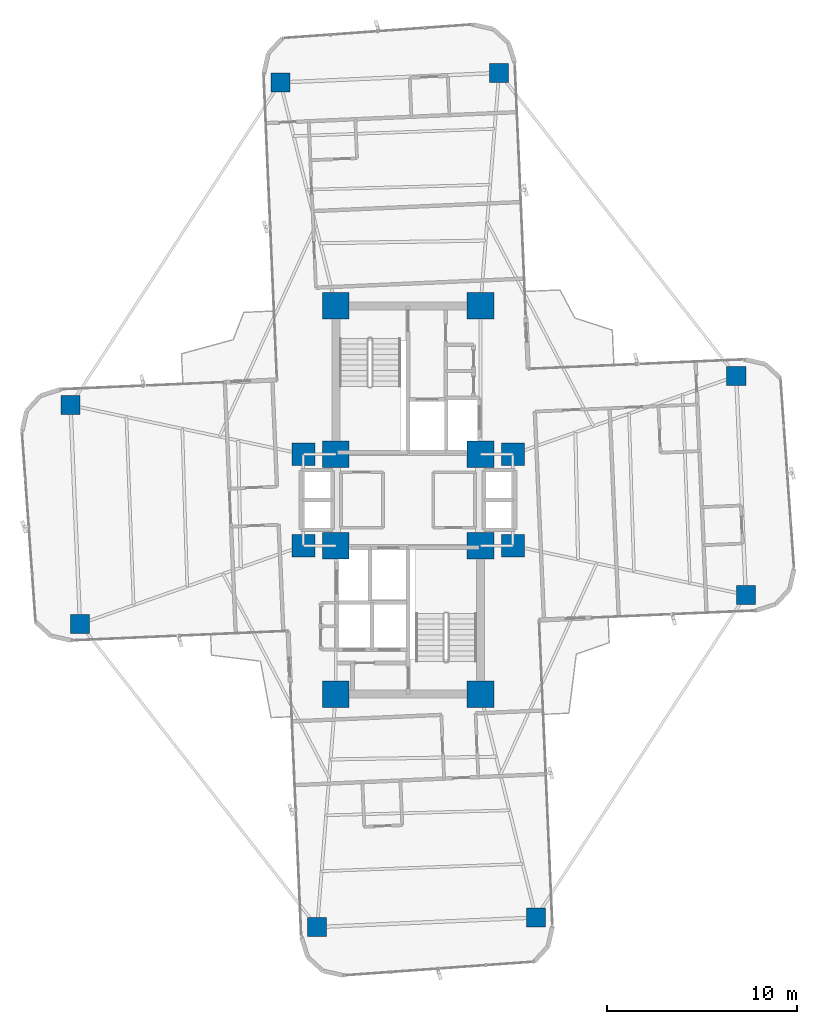
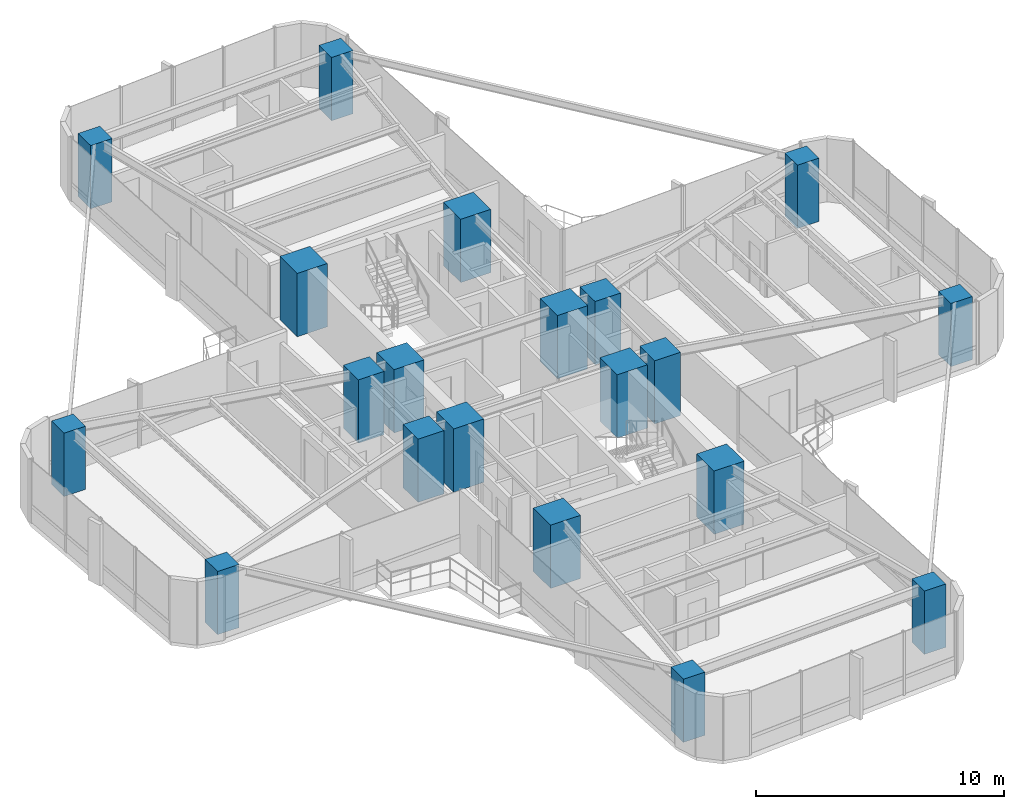
# One storey, part 1 of 26: 20 columns.
"""IFC4 building model written with IfcOpenShell, lengths in metres."""

from ifc_helpers import new_model, si_unit, direction, frame, origin, origin_2d, place, context, subcontext, project, spatial, rectangle, extrude, source, transform, mapped, material, material_profile, profile_set, type_object, element, save


model = new_model("IFC4")

# Units and contexts
model_context = context("Model", 3, precision=1e-05, world=origin(), true_north=direction((0.0, 1.0)))
body_context = subcontext(model_context, "Body", "Model", "MODEL_VIEW")
ifc_project = project(units=[si_unit("LENGTHUNIT", "METRE"), si_unit("AREAUNIT", "SQUARE_METRE"), si_unit("VOLUMEUNIT", "CUBIC_METRE"), si_unit("PLANEANGLEUNIT", "RADIAN"), si_unit("MASSUNIT", "GRAM", prefix="KILO")], contexts=[model_context])

# Site, building, storey
site_placement = place(None, origin())
site = spatial("IfcSite", under=ifc_project, at=site_placement, CompositionType="ELEMENT")
building_placement = place(site_placement, origin())
building = spatial("IfcBuilding", under=site, at=building_placement, Name="Sahyath Konkavel Grand Hotel", CompositionType="ELEMENT")
storey_placement = place(building_placement, frame((0.0, 0.0, 93.550048828125)))
storey = spatial("IfcBuildingStorey", under=building, at=storey_placement, Name="L25", CompositionType="ELEMENT", Elevation=93.550048828125)

# Columns
ifc_material_1 = material(Name="Concrete C70/85", Category="concrete")
ifc_material_profile_1 = material_profile(ifc_material_1, rectangle(XDim=1.39990234375, YDim=1.39990234375, at=origin_2d()), Name="RC 1400x1400")
ifc_profile_set_1 = profile_set([ifc_material_profile_1], Name="Concrete C70/85")
column_type_1 = type_object("IfcColumnType", Name="COL-RC1400", PredefinedType="COLUMN", material=ifc_profile_set_1)
shared_shape_1 = source(origin(), body_context, "Body", "SweptSolid", [
    extrude(rectangle(XDim=1.39990234375, YDim=1.39990234375, at=origin_2d()), origin(), (0.0, 0.0, 1.0), 3.10986328125),
])
for number, where, z_axis, x_axis, name in (
    (1, (-3.800048828125, 2.39990234375, 0.0), (0.0, 0.0, 1.0), (1.0, 0.0, 0.0), "L25 Core Boundary Column NC-SW"),
    (2, (3.800048828125, 2.39990234375, 0.0), (0.0, 0.0, 1.0), (1.0, 0.0, 0.0), "L25 Core Boundary Column NC-SE"),
    (3, (-3.800048828125, 10.199951171875, 0.0), (0.0, 0.0, 1.0), (1.0, 0.0, 0.0), "L25 Core Boundary Column NC-NW"),
    (4, (3.800048828125, 10.199951171875, 0.0), (0.0, 0.0, 1.0), (1.0, 0.0, 0.0), "L25 Core Boundary Column NC-NE"),
    (5, (-3.800048828125, -2.39990234375, 0.0), (0.0, 0.0, 1.0), (1.0, 0.0, 0.0), "L25 Core Boundary Column SC-NW"),
    (6, (3.800048828125, -2.39990234375, 0.0), (0.0, 0.0, 1.0), (1.0, 0.0, 0.0), "L25 Core Boundary Column SC-NE"),
    (7, (-3.800048828125, -10.199951171875, 0.0), (0.0, 0.0, 1.0), (1.0, 0.0, 0.0), "L25 Core Boundary Column SC-SW"),
    (8, (3.800048828125, -10.199951171875, 0.0), (0.0, 0.0, 1.0), (1.0, 0.0, 0.0), "L25 Core Boundary Column SC-SE"),
):
    element("IfcColumn", number, at=place(storey_placement, frame(where, z_axis=z_axis, x_axis=x_axis)), inside=storey, type_object=column_type_1, Name=name, PredefinedType="COLUMN", context=body_context, shape_type="MappedRepresentation", body=[
        mapped(shared_shape_1, transform((0.0, 0.0, 0.0), scale=1.0)),
    ])
ifc_material_2 = material(Name="Concrete C50/60", Category="concrete")
ifc_material_profile_2 = material_profile(ifc_material_2, rectangle(XDim=1.199951171875, YDim=1.199951171875, at=origin_2d()), Name="RC 1200x1200")
ifc_profile_set_2 = profile_set([ifc_material_profile_2], Name="Concrete C50/60")
column_type_2 = type_object("IfcColumnType", Name="COL-RC1200", PredefinedType="COLUMN", material=ifc_profile_set_2)
shared_shape_2 = source(origin(), body_context, "Body", "SweptSolid", [
    extrude(rectangle(XDim=1.199951171875, YDim=1.199951171875, at=origin_2d()), origin(), (0.0, 0.0, 1.0), 3.10986328125),
])
for number, where, z_axis, x_axis, name in (
    (9, (5.5, 2.39990234375, 0.0), (0.0, 0.0, 1.0), (1.0, 0.0, 0.0), "L25 Central Spine Column HB-NE"),
    (10, (-5.5, 2.39990234375, 0.0), (0.0, 0.0, 1.0), (1.0, 0.0, 0.0), "L25 Central Spine Column HB-NW"),
    (11, (5.5, -2.39990234375, 0.0), (0.0, 0.0, 1.0), (1.0, 0.0, 0.0), "L25 Central Spine Column HB-SE"),
    (12, (-5.5, -2.39990234375, 0.0), (0.0, 0.0, 1.0), (1.0, 0.0, 0.0), "L25 Central Spine Column HB-SW"),
):
    element("IfcColumn", number, at=place(storey_placement, frame(where, z_axis=z_axis, x_axis=x_axis)), inside=storey, type_object=column_type_2, Name=name, PredefinedType="COLUMN", context=body_context, shape_type="MappedRepresentation", body=[
        mapped(shared_shape_2, transform((0.0, 0.0, 0.0), scale=1.0)),
    ])
ifc_material_profile_3 = material_profile(ifc_material_2, rectangle(XDim=1.0, YDim=1.0, at=origin_2d()), Name="RC 1000x1000")
ifc_profile_set_3 = profile_set([ifc_material_profile_3], Name="Concrete C50/60")
column_type_3 = type_object("IfcColumnType", Name="COL-RC1000", PredefinedType="COLUMN", material=ifc_profile_set_3)
shared_shape_3 = source(origin(), body_context, "Body", "SweptSolid", [
    extrude(rectangle(XDim=1.0, YDim=1.0, at=origin_2d()), origin(), (0.0, 0.0, 1.0), 3.10986328125),
])
for number, where, z_axis, x_axis, name in (
    (13, (17.734130859375, -4.981201171875, 0.0), (0.0, 0.0, 1.0), (1.0, 0.0, 0.0), "L25 Cruciform Wing Column WC-EA"),
    (14, (17.232421875, 6.5078125, 0.0), (0.0, 0.0, 1.0), (1.0, 0.0, 0.0), "L25 Cruciform Wing Column WC-EB"),
    (15, (4.776123046875, 22.4296875, 0.0), (0.0, 0.0, 1.0), (1.0, 0.0, 0.0), "L25 Cruciform Wing Column WC-NA"),
    (16, (-6.712890625, 21.927978515625, 0.0), (0.0, 0.0, 1.0), (1.0, 0.0, 0.0), "L25 Cruciform Wing Column WC-NB"),
    (17, (-17.734130859375, 4.981201171875, 0.0), (0.0, 0.0, 1.0), (1.0, 0.0, 0.0), "L25 Cruciform Wing Column WC-WA"),
    (18, (-17.232421875, -6.5078125, 0.0), (0.0, 0.0, 1.0), (1.0, 0.0, 0.0), "L25 Cruciform Wing Column WC-WB"),
    (19, (-4.776123046875, -22.4296875, 0.0), (0.0, 0.0, 1.0), (1.0, 0.0, 0.0), "L25 Cruciform Wing Column WC-SA"),
    (20, (6.712890625, -21.927978515625, 0.0), (0.0, 0.0, 1.0), (1.0, 0.0, 0.0), "L25 Cruciform Wing Column WC-SB"),
):
    element("IfcColumn", number, at=place(storey_placement, frame(where, z_axis=z_axis, x_axis=x_axis)), inside=storey, type_object=column_type_3, Name=name, PredefinedType="COLUMN", context=body_context, shape_type="MappedRepresentation", body=[
        mapped(shared_shape_3, transform((0.0, 0.0, 0.0), scale=1.0)),
    ])

save(model, "model.ifc")
